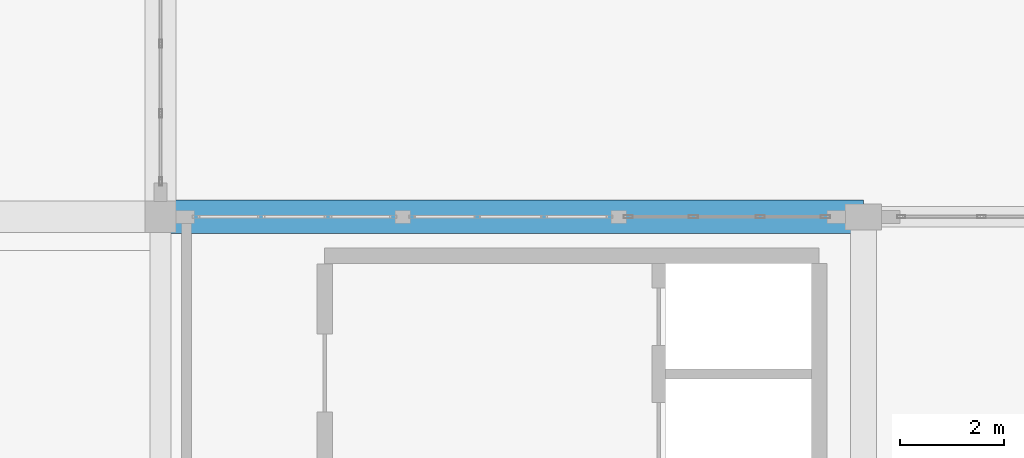
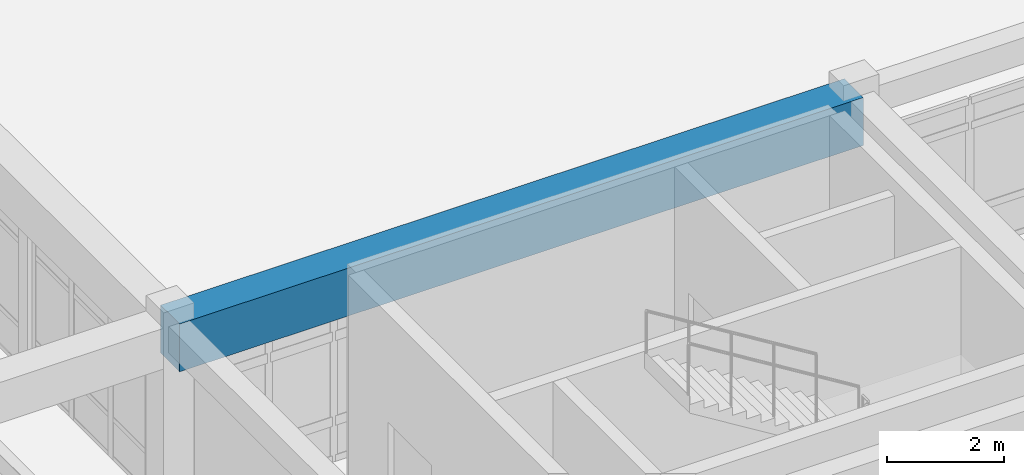
# One storey, part 23 of 109: 1 beam.
"""IFC4 building model written with IfcOpenShell, lengths in metres."""

from ifc_helpers import new_model, si_unit, direction, frame, origin, origin_2d, place, context, subcontext, project, spatial, rectangle, extrude, material, material_profile, profile_set, type_object, element, save


model = new_model("IFC4")

# Units and contexts
model_context = context("Model", 3, precision=1e-05, world=origin(), true_north=direction((0.0, 1.0)))
body_context = subcontext(model_context, "Body", "Model", "MODEL_VIEW")
ifc_project = project(units=[si_unit("LENGTHUNIT", "METRE"), si_unit("AREAUNIT", "SQUARE_METRE"), si_unit("VOLUMEUNIT", "CUBIC_METRE"), si_unit("PLANEANGLEUNIT", "RADIAN"), si_unit("MASSUNIT", "GRAM", prefix="KILO")], contexts=[model_context])

# Site, building, storey
site_placement = place(None, origin())
site = spatial("IfcSite", under=ifc_project, at=site_placement, CompositionType="ELEMENT")
building_placement = place(site_placement, origin())
building = spatial("IfcBuilding", under=site, at=building_placement, Name="Fikremerkos Civic Library", CompositionType="ELEMENT")
storey_placement = place(building_placement, frame((0.0, 0.0, 5.39990234375)))
storey = spatial("IfcBuildingStorey", under=building, at=storey_placement, Name="L01", CompositionType="ELEMENT", Elevation=5.39990234375)

# Beam
ifc_material = material(Name="Concrete C45/55", Category="concrete")
ifc_material_profile = material_profile(ifc_material, rectangle(XDim=0.64990234375, YDim=1.0, at=origin_2d()), Name="RC 650x1000")
ifc_profile_set = profile_set([ifc_material_profile], Name="Concrete C45/55")
beam_type = type_object("IfcBeamType", Name="Primary girder BM-25 RC 650x1000", PredefinedType="BEAM", material=ifc_profile_set)
beam_placement = place(storey_placement, frame((100.199951171875, 31.199951171875, 3.68017578125), z_axis=(1.0, 0.0, 0.0), x_axis=(0.0, 1.0, 0.0)))
element("IfcBeam", 1, at=beam_placement, inside=storey, type_object=beam_type, Name="Primary girder BM-25 L01 grid G", PredefinedType="BEAM", context=body_context, shape_type="SweptSolid", body=[
    extrude(rectangle(XDim=0.64990234375, YDim=1.0, at=origin_2d()), origin(), (0.0, 0.0, 1.0), 13.5),
])

save(model, "model.ifc")
